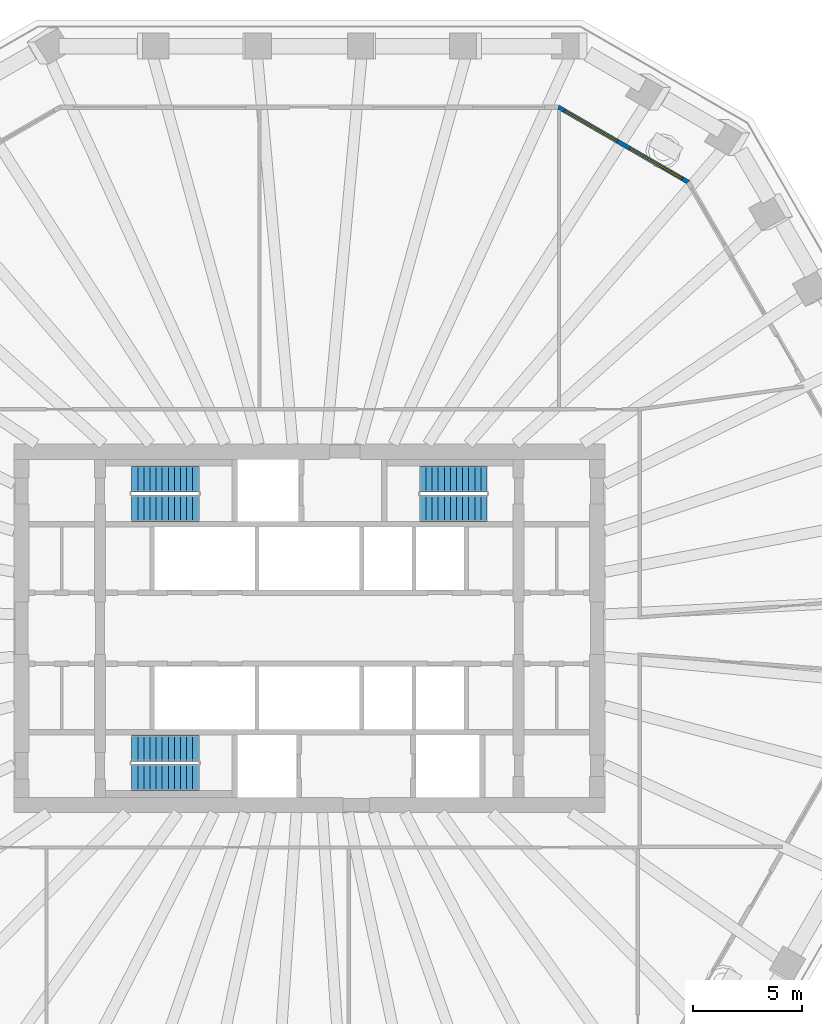
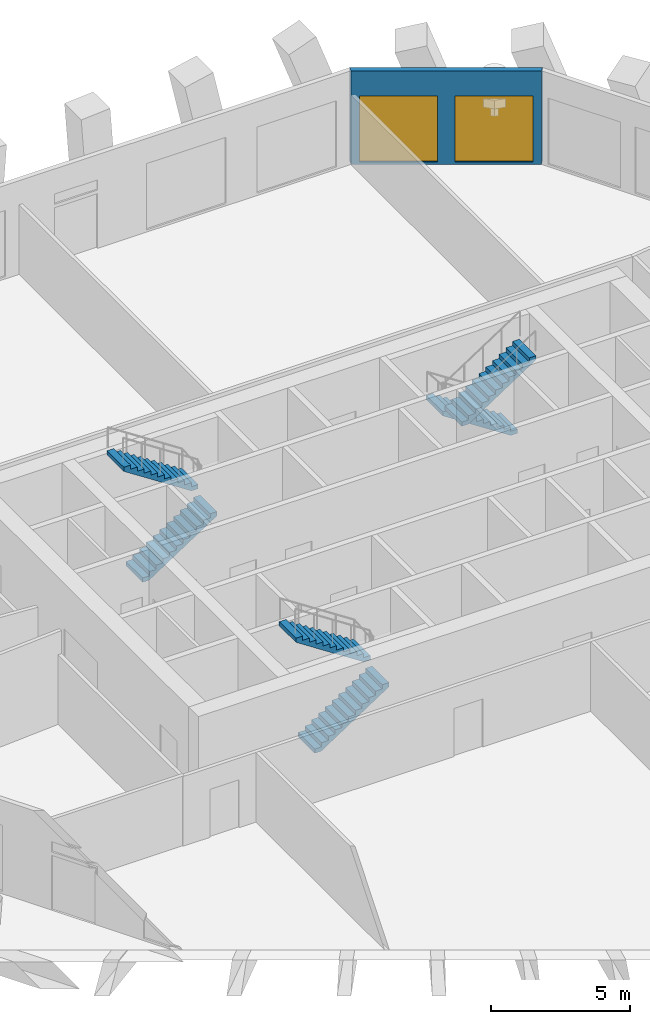
# One storey, part 8 of 11: 6 stair flights, 2 windows, 1 wall, 2 openings, 3 elements without a shape of their own.
"""IFC4 building model written with IfcOpenShell, lengths in metres."""

from ifc_helpers import new_model, si_unit, direction, frame, frame_2d, origin, place, context, subcontext, project, spatial, polyline, rectangle, outline, extrude, material, layer, layer_set, type_object, element, fill, aggregate, save


model = new_model("IFC4")

# Units and contexts
model_context = context("Model", 3, precision=1e-05, world=origin(), true_north=direction((0.0, 1.0)))
body_context = subcontext(model_context, "Body", "Model", "MODEL_VIEW")
ifc_project = project(units=[si_unit("LENGTHUNIT", "METRE"), si_unit("AREAUNIT", "SQUARE_METRE"), si_unit("VOLUMEUNIT", "CUBIC_METRE"), si_unit("PLANEANGLEUNIT", "RADIAN"), si_unit("MASSUNIT", "GRAM", prefix="KILO")], contexts=[model_context])

# Site, building, storey
site_placement = place(None, origin())
site = spatial("IfcSite", under=ifc_project, at=site_placement, CompositionType="ELEMENT")
building_placement = place(site_placement, origin())
building = spatial("IfcBuilding", under=site, at=building_placement, Name="Frailejon Research Tower", CompositionType="ELEMENT")
storey_placement = place(building_placement, frame((0.0, 0.0, 198.0)))
storey = spatial("IfcBuildingStorey", under=building, at=storey_placement, Name="L43", CompositionType="ELEMENT", Elevation=198.0)

# Wall, openings, windows
ifc_material_1 = material(Name="Concrete C40/50 precast window wall panel", Category="concrete")
ifc_layer_1 = layer(ifc_material_1, 0.199951171875)
ifc_layer_set_1 = layer_set([ifc_layer_1], Name="Window wall 200")
wall_type = type_object("IfcWallType", Name="Window wall 200", PredefinedType="SOLIDWALL", material=ifc_layer_set_1)
wall_placement = place(storey_placement, frame((17.3798828125, 20.462646484375, 0.0), z_axis=(0.0, 0.0, 1.0), x_axis=(-0.866029458321, 0.49999297727, 0.0)))
wall = element("IfcWall", 1, at=wall_placement, inside=storey, type_object=wall_type, Name="Exterior wall L43", PredefinedType="SOLIDWALL", context=body_context, shape_type="SweptSolid", body=[
    extrude(outline(polyline([(-0.02685546875, -0.10009765625), (1.1279296875, -0.10009765625), (2.282470703125, -0.10009765625), (3.437255859375, -0.10009765625), (4.592041015625, -0.10009765625), (5.74658203125, -0.10009765625), (6.9013671875, -0.10009765625), (6.84765625, 0.10009765625), (5.7109375, 0.10009765625), (4.573974609375, 0.10009765625), (3.437255859375, 0.10009765625), (2.300537109375, 0.10009765625), (1.16357421875, 0.10009765625), (0.02685546875, 0.10009765625), (-0.02685546875, -0.10009765625)])), origin(), (0.0, 0.0, 1.0), 4.10009765625),
])
opening_1_placement = place(wall_placement, frame((0.318603515625, 0.0, 0.10009765625)))
opening_1 = element("IfcOpeningElement", 2, at=opening_1_placement, cuts=wall, Name="Opening W3", PredefinedType="OPENING", context=body_context, shape_type="SweptSolid", body=[
    extrude(rectangle(XDim=2.800048828125, YDim=2.89990234375, at=frame_2d((1.39990234375, 1.449951171875))), frame((0.0, 0.10986328125, 0.0), z_axis=(0.0, -1.0, 0.0), x_axis=(1.0, 0.0, 0.0)), (0.0, 0.0, 1.0), 0.219970703125),
])
opening_2_placement = place(wall_placement, frame((3.756103515625, 0.0, 0.10009765625)))
opening_2 = element("IfcOpeningElement", 3, at=opening_2_placement, cuts=wall, Name="Opening W3", PredefinedType="OPENING", context=body_context, shape_type="SweptSolid", body=[
    extrude(rectangle(XDim=2.800048828125, YDim=2.89990234375, at=frame_2d((1.39990234375, 1.449951171875))), frame((0.0, 0.10986328125, 0.0), z_axis=(0.0, -1.0, 0.0), x_axis=(1.0, 0.0, 0.0)), (0.0, 0.0, 1.0), 0.219970703125),
])
ifc_material_2 = material(Name="Aluminium framed double glazing", Category="aluminium")
window_type = type_object("IfcWindowType", Name="Window 2800x2900", PartitioningType="SINGLE_PANEL", PredefinedType="WINDOW", material=ifc_material_2)
window_1_placement = place(opening_1_placement, origin())
window_1 = element("IfcWindow", 4, at=window_1_placement, inside=storey, type_object=window_type, Name="Window L43", OverallHeight=2.89990234375, OverallWidth=2.800048828125, PartitioningType="SINGLE_PANEL", PredefinedType="WINDOW", context=body_context, shape_type="SweptSolid", body=[
    extrude(rectangle(XDim=2.800048828125, YDim=2.89990234375, at=frame_2d((1.39990234375, 1.449951171875))), frame((0.0, 0.030029296875, 0.0), z_axis=(0.0, -1.0, 0.0), x_axis=(1.0, 0.0, 0.0)), (0.0, 0.0, 1.0), 0.06005859375),
])
fill(opening_1, window_1)
window_2_placement = place(opening_2_placement, origin())
window_2 = element("IfcWindow", 5, at=window_2_placement, inside=storey, type_object=window_type, Name="Window L43", OverallHeight=2.89990234375, OverallWidth=2.800048828125, PartitioningType="SINGLE_PANEL", PredefinedType="WINDOW", context=body_context, shape_type="SweptSolid", body=[
    extrude(rectangle(XDim=2.800048828125, YDim=2.89990234375, at=frame_2d((1.39990234375, 1.449951171875))), frame((0.0, 0.030029296875, 0.0), z_axis=(0.0, -1.0, 0.0), x_axis=(1.0, 0.0, 0.0)), (0.0, 0.0, 1.0), 0.06005859375),
])
fill(opening_2, window_2)

# Stair, stair flights
ifc_material_3 = material(Name="Concrete C50/60", Category="concrete")
stair_type = type_object("IfcStairType", Name="Exit stair 24 risers", PredefinedType="HALF_TURN_STAIR", material=ifc_material_3)
stair_1_placement = place(storey_placement, origin())
stair_1 = element("IfcStair", 6, at=stair_1_placement, inside=storey, type_object=stair_type, Name="L43 Exit stair ST1", PredefinedType="HALF_TURN_STAIR")
ifc_material_4 = material(Name="Concrete C50/60", Category="concrete")
ifc_layer_2 = layer(ifc_material_4, 0.14990234375)
ifc_layer_set_2 = layer_set([ifc_layer_2], Name="Stair flight 12 risers")
stair_flight_type = type_object("IfcStairFlightType", Name="Stair flight 12 risers", PredefinedType="STRAIGHT", material=ifc_layer_set_2)
stair_flight_1_placement = place(storey_placement, frame((-8.14990234375, 5.5, 0.0), z_axis=(0.0, 0.0, 1.0), x_axis=(1.0, 0.0, 0.0)))
stair_flight_1 = element("IfcStairFlight", 7, at=stair_flight_1_placement, type_object=stair_flight_type, Name="ST1 flight 1", NumberOfRisers=12, NumberOfTreads=11, PredefinedType="STRAIGHT", RiserHeight=0.183333333, TreadLength=0.28, context=body_context, shape_type="SweptSolid", body=[
    extrude(outline(polyline([(0.0, 0.0), (0.0, 0.183349609375), (0.280029296875, 0.183349609375), (0.280029296875, 0.36669921875), (0.56005859375, 0.36669921875), (0.56005859375, 0.550048828125), (0.840087890625, 0.550048828125), (0.840087890625, 0.7333984375), (1.1201171875, 0.7333984375), (1.1201171875, 0.916748046875), (1.39990234375, 0.916748046875), (1.39990234375, 1.10009765625), (1.679931640625, 1.10009765625), (1.679931640625, 1.283447265625), (1.9599609375, 1.283447265625), (1.9599609375, 1.466552734375), (2.239990234375, 1.466552734375), (2.239990234375, 1.64990234375), (2.52001953125, 1.64990234375), (2.52001953125, 1.833251953125), (2.800048828125, 1.833251953125), (2.800048828125, 2.0166015625), (3.080078125, 2.0166015625), (3.080078125, 2.199951171875), (3.080078125, 1.83740234375), (0.273681640625, 0.0), (0.0, 0.0)])), frame((0.0, 0.60009765625, 0.0), z_axis=(0.0, -1.0, 0.0), x_axis=(1.0, 0.0, 0.0)), (0.0, 0.0, 1.0), 1.199951171875),
])
stair_flight_2_placement = place(storey_placement, frame((-5.070068359375, 6.85009765625, 2.199951171875), z_axis=(0.0, 0.0, 1.0), x_axis=(-1.0, 0.0, 0.0)))
stair_flight_2 = element("IfcStairFlight", 8, at=stair_flight_2_placement, type_object=stair_flight_type, Name="ST1 flight 2", NumberOfRisers=12, NumberOfTreads=11, PredefinedType="STRAIGHT", RiserHeight=0.183333333, TreadLength=0.28, context=body_context, shape_type="SweptSolid", body=[
    extrude(outline(polyline([(0.0, 0.0), (0.0, 0.183349609375), (0.280029296875, 0.183349609375), (0.280029296875, 0.36669921875), (0.56005859375, 0.36669921875), (0.56005859375, 0.550048828125), (0.840087890625, 0.550048828125), (0.840087890625, 0.7333984375), (1.1201171875, 0.7333984375), (1.1201171875, 0.916748046875), (1.39990234375, 0.916748046875), (1.39990234375, 1.10009765625), (1.679931640625, 1.10009765625), (1.679931640625, 1.283447265625), (1.9599609375, 1.283447265625), (1.9599609375, 1.466552734375), (2.239990234375, 1.466552734375), (2.239990234375, 1.64990234375), (2.52001953125, 1.64990234375), (2.52001953125, 1.833251953125), (2.800048828125, 1.833251953125), (2.800048828125, 2.0166015625), (3.080078125, 2.0166015625), (3.080078125, 2.199951171875), (3.080078125, 1.83740234375), (0.273681640625, 0.0), (0.0, 0.0)])), frame((0.0, 0.60009765625, 0.0), z_axis=(0.0, -1.0, 0.0), x_axis=(1.0, 0.0, 0.0)), (0.0, 0.0, 1.0), 1.199951171875),
])
aggregate(stair_1, [stair_flight_1, stair_flight_2])

stair_2_placement = place(storey_placement, origin())
stair_2 = element("IfcStair", 9, at=stair_2_placement, inside=storey, type_object=stair_type, Name="L43 Exit stair ST2", PredefinedType="HALF_TURN_STAIR")
stair_flight_3_placement = place(storey_placement, frame((-8.14990234375, -6.85009765625, 0.0), z_axis=(0.0, 0.0, 1.0), x_axis=(1.0, 0.0, 0.0)))
stair_flight_3 = element("IfcStairFlight", 10, at=stair_flight_3_placement, type_object=stair_flight_type, Name="ST2 flight 1", NumberOfRisers=12, NumberOfTreads=11, PredefinedType="STRAIGHT", RiserHeight=0.183333333, TreadLength=0.28, context=body_context, shape_type="SweptSolid", body=[
    extrude(outline(polyline([(0.0, 0.0), (0.0, 0.183349609375), (0.280029296875, 0.183349609375), (0.280029296875, 0.36669921875), (0.56005859375, 0.36669921875), (0.56005859375, 0.550048828125), (0.840087890625, 0.550048828125), (0.840087890625, 0.7333984375), (1.1201171875, 0.7333984375), (1.1201171875, 0.916748046875), (1.39990234375, 0.916748046875), (1.39990234375, 1.10009765625), (1.679931640625, 1.10009765625), (1.679931640625, 1.283447265625), (1.9599609375, 1.283447265625), (1.9599609375, 1.466552734375), (2.239990234375, 1.466552734375), (2.239990234375, 1.64990234375), (2.52001953125, 1.64990234375), (2.52001953125, 1.833251953125), (2.800048828125, 1.833251953125), (2.800048828125, 2.0166015625), (3.080078125, 2.0166015625), (3.080078125, 2.199951171875), (3.080078125, 1.83740234375), (0.273681640625, 0.0), (0.0, 0.0)])), frame((0.0, 0.60009765625, 0.0), z_axis=(0.0, -1.0, 0.0), x_axis=(1.0, 0.0, 0.0)), (0.0, 0.0, 1.0), 1.199951171875),
])
stair_flight_4_placement = place(storey_placement, frame((-5.070068359375, -5.5, 2.199951171875), z_axis=(0.0, 0.0, 1.0), x_axis=(-1.0, 0.0, 0.0)))
stair_flight_4 = element("IfcStairFlight", 11, at=stair_flight_4_placement, type_object=stair_flight_type, Name="ST2 flight 2", NumberOfRisers=12, NumberOfTreads=11, PredefinedType="STRAIGHT", RiserHeight=0.183333333, TreadLength=0.28, context=body_context, shape_type="SweptSolid", body=[
    extrude(outline(polyline([(0.0, 0.0), (0.0, 0.183349609375), (0.280029296875, 0.183349609375), (0.280029296875, 0.36669921875), (0.56005859375, 0.36669921875), (0.56005859375, 0.550048828125), (0.840087890625, 0.550048828125), (0.840087890625, 0.7333984375), (1.1201171875, 0.7333984375), (1.1201171875, 0.916748046875), (1.39990234375, 0.916748046875), (1.39990234375, 1.10009765625), (1.679931640625, 1.10009765625), (1.679931640625, 1.283447265625), (1.9599609375, 1.283447265625), (1.9599609375, 1.466552734375), (2.239990234375, 1.466552734375), (2.239990234375, 1.64990234375), (2.52001953125, 1.64990234375), (2.52001953125, 1.833251953125), (2.800048828125, 1.833251953125), (2.800048828125, 2.0166015625), (3.080078125, 2.0166015625), (3.080078125, 2.199951171875), (3.080078125, 1.83740234375), (0.273681640625, 0.0), (0.0, 0.0)])), frame((0.0, 0.60009765625, 0.0), z_axis=(0.0, -1.0, 0.0), x_axis=(1.0, 0.0, 0.0)), (0.0, 0.0, 1.0), 1.199951171875),
])
aggregate(stair_2, [stair_flight_3, stair_flight_4])

stair_3_placement = place(storey_placement, origin())
stair_3 = element("IfcStair", 12, at=stair_3_placement, inside=storey, type_object=stair_type, Name="L43 Exit stair ST3", PredefinedType="HALF_TURN_STAIR")
stair_flight_5_placement = place(storey_placement, frame((8.14990234375, 6.85009765625, 0.0), z_axis=(0.0, 0.0, 1.0), x_axis=(-1.0, 0.0, 0.0)))
stair_flight_5 = element("IfcStairFlight", 13, at=stair_flight_5_placement, type_object=stair_flight_type, Name="ST3 flight 1", NumberOfRisers=12, NumberOfTreads=11, PredefinedType="STRAIGHT", RiserHeight=0.183333333, TreadLength=0.28, context=body_context, shape_type="SweptSolid", body=[
    extrude(outline(polyline([(0.0, 0.0), (0.0, 0.183349609375), (0.280029296875, 0.183349609375), (0.280029296875, 0.36669921875), (0.56005859375, 0.36669921875), (0.56005859375, 0.550048828125), (0.840087890625, 0.550048828125), (0.840087890625, 0.7333984375), (1.1201171875, 0.7333984375), (1.1201171875, 0.916748046875), (1.39990234375, 0.916748046875), (1.39990234375, 1.10009765625), (1.679931640625, 1.10009765625), (1.679931640625, 1.283447265625), (1.9599609375, 1.283447265625), (1.9599609375, 1.466552734375), (2.239990234375, 1.466552734375), (2.239990234375, 1.64990234375), (2.52001953125, 1.64990234375), (2.52001953125, 1.833251953125), (2.800048828125, 1.833251953125), (2.800048828125, 2.0166015625), (3.080078125, 2.0166015625), (3.080078125, 2.199951171875), (3.080078125, 1.83740234375), (0.273681640625, 0.0), (0.0, 0.0)])), frame((0.0, 0.60009765625, 0.0), z_axis=(0.0, -1.0, 0.0), x_axis=(1.0, 0.0, 0.0)), (0.0, 0.0, 1.0), 1.199951171875),
])
stair_flight_6_placement = place(storey_placement, frame((5.070068359375, 5.5, 2.199951171875), z_axis=(0.0, 0.0, 1.0), x_axis=(1.0, 0.0, 0.0)))
stair_flight_6 = element("IfcStairFlight", 14, at=stair_flight_6_placement, type_object=stair_flight_type, Name="ST3 flight 2", NumberOfRisers=12, NumberOfTreads=11, PredefinedType="STRAIGHT", RiserHeight=0.183333333, TreadLength=0.28, context=body_context, shape_type="SweptSolid", body=[
    extrude(outline(polyline([(0.0, 0.0), (0.0, 0.183349609375), (0.280029296875, 0.183349609375), (0.280029296875, 0.36669921875), (0.56005859375, 0.36669921875), (0.56005859375, 0.550048828125), (0.840087890625, 0.550048828125), (0.840087890625, 0.7333984375), (1.1201171875, 0.7333984375), (1.1201171875, 0.916748046875), (1.39990234375, 0.916748046875), (1.39990234375, 1.10009765625), (1.679931640625, 1.10009765625), (1.679931640625, 1.283447265625), (1.9599609375, 1.283447265625), (1.9599609375, 1.466552734375), (2.239990234375, 1.466552734375), (2.239990234375, 1.64990234375), (2.52001953125, 1.64990234375), (2.52001953125, 1.833251953125), (2.800048828125, 1.833251953125), (2.800048828125, 2.0166015625), (3.080078125, 2.0166015625), (3.080078125, 2.199951171875), (3.080078125, 1.83740234375), (0.273681640625, 0.0), (0.0, 0.0)])), frame((0.0, 0.60009765625, 0.0), z_axis=(0.0, -1.0, 0.0), x_axis=(1.0, 0.0, 0.0)), (0.0, 0.0, 1.0), 1.199951171875),
])
aggregate(stair_3, [stair_flight_5, stair_flight_6])

save(model, "model.ifc")
